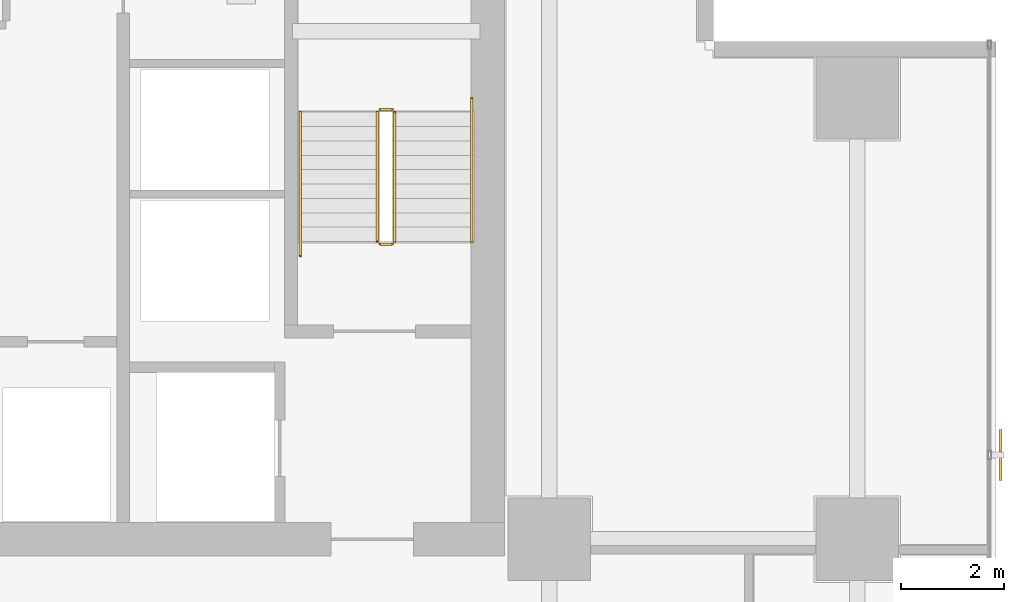
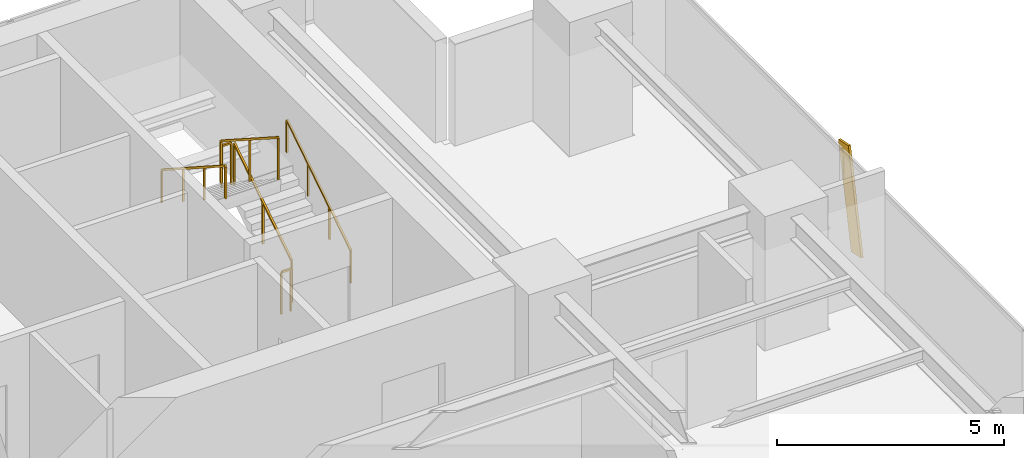
# One storey, part 34 of 35: 6 railings, 1 shading device.
"""IFC4 building model written with IfcOpenShell, lengths in metres."""

from ifc_helpers import new_model, si_unit, direction, frame, origin, origin_2d, place, context, subcontext, project, spatial, rectangle, extrude, source, transform, mapped, material, material_profile, profile_set, type_object, element, save


model = new_model("IFC4")

# Units and contexts
model_context = context("Model", 3, precision=1e-05, world=origin(), true_north=direction((0.0, 1.0)))
body_context = subcontext(model_context, "Body", "Model", "MODEL_VIEW")
ifc_project = project(units=[si_unit("LENGTHUNIT", "METRE"), si_unit("AREAUNIT", "SQUARE_METRE"), si_unit("VOLUMEUNIT", "CUBIC_METRE"), si_unit("PLANEANGLEUNIT", "RADIAN"), si_unit("MASSUNIT", "GRAM", prefix="KILO")], contexts=[model_context])

# Site, building, storey
site_placement = place(None, origin())
site = spatial("IfcSite", under=ifc_project, at=site_placement, CompositionType="ELEMENT")
building_placement = place(site_placement, origin())
building = spatial("IfcBuilding", under=site, at=building_placement, Name="Sumidabori Civic Tower", CompositionType="ELEMENT")
storey_placement = place(building_placement, frame((0.0, 0.0, 102.800048828125)))
storey = spatial("IfcBuildingStorey", under=building, at=storey_placement, Name="L26", CompositionType="ELEMENT", Elevation=102.800048828125)

# Railings
ifc_material_1 = material(Name="Stainless Steel Hairline Finish", Category="steel")
railing_type_1 = type_object("IfcRailingType", Name="RL-HANDRAIL", PredefinedType="HANDRAIL", material=ifc_material_1)
railing_1_placement = place(storey_placement, frame((15.2900390625, 16.0, 0.179931640625)))
element("IfcRailing", 1, at=railing_1_placement, inside=storey, type_object=railing_type_1, Name="L26 ST-2 stair handrail 1", PredefinedType="HANDRAIL", context=body_context, shape_type="SweptSolid", body=[
    extrude(rectangle(XDim=0.048095703125, YDim=0.048095703125, at=origin_2d()), frame((0.0, 0.0, 0.8759765625), z_axis=(0.0, 0.840675598268, 0.541539046124), x_axis=(-1.0, 0.0, 0.0)), (0.0, 0.0, 1.0), 3.330810546875),
    extrude(rectangle(XDim=0.0419921875, YDim=0.0419921875, at=origin_2d()), origin(), (0.0, 0.0, 1.0), 0.851806640625),
    extrude(rectangle(XDim=0.0419921875, YDim=0.0419921875, at=origin_2d()), frame((0.0, 0.933349609375, 0.601318359375)), (0.0, 0.0, 1.0), 0.851806640625),
    extrude(rectangle(XDim=0.0419921875, YDim=0.0419921875, at=origin_2d()), frame((0.0, 1.86669921875, 1.202392578125)), (0.0, 0.0, 1.0), 0.851806640625),
    extrude(rectangle(XDim=0.0419921875, YDim=0.0419921875, at=origin_2d()), frame((0.0, 2.800048828125, 1.8037109375)), (0.0, 0.0, 1.0), 0.851806640625),
])
railing_2_placement = place(storey_placement, frame((11.949951171875, 18.52001953125, 1.97998046875)))
element("IfcRailing", 2, at=railing_2_placement, inside=storey, type_object=railing_type_1, Name="L26 ST-2 stair handrail 2", PredefinedType="HANDRAIL", context=body_context, shape_type="SweptSolid", body=[
    extrude(rectangle(XDim=0.048095703125, YDim=0.048095703125, at=origin_2d()), frame((0.0, 0.0, 0.8759765625), z_axis=(0.0, -0.840675598268, 0.541539046124), x_axis=(1.0, 0.0, 0.0)), (0.0, 0.0, 1.0), 3.330810546875),
    extrude(rectangle(XDim=0.0419921875, YDim=0.0419921875, at=origin_2d()), origin(), (0.0, 0.0, 1.0), 0.851806640625),
    extrude(rectangle(XDim=0.0419921875, YDim=0.0419921875, at=origin_2d()), frame((0.0, -0.933349609375, 0.601318359375)), (0.0, 0.0, 1.0), 0.851806640625),
    extrude(rectangle(XDim=0.0419921875, YDim=0.0419921875, at=origin_2d()), frame((0.0, -1.86669921875, 1.202392578125)), (0.0, 0.0, 1.0), 0.851806640625),
    extrude(rectangle(XDim=0.0419921875, YDim=0.0419921875, at=origin_2d()), frame((0.0, -2.800048828125, 1.8037109375)), (0.0, 0.0, 1.0), 0.851806640625),
])
ifc_material_2 = material(Name="Steel SN490", Category="steel")
railing_type_2 = type_object("IfcRailingType", Name="RL-STAIR-GUARD", PredefinedType="GUARDRAIL", material=ifc_material_2)
railing_3_placement = place(storey_placement, frame((13.7900390625, 16.0, 0.179931640625)))
element("IfcRailing", 3, at=railing_3_placement, inside=storey, type_object=railing_type_2, Name="L26 ST-2 stair guard 1", PredefinedType="GUARDRAIL", context=body_context, shape_type="SweptSolid", body=[
    extrude(rectangle(XDim=0.048095703125, YDim=0.048095703125, at=origin_2d()), frame((0.0, 0.0, 1.1259765625), z_axis=(0.0, 0.841162588446, 0.540782303519), x_axis=(-1.0, 0.0, 0.0)), (0.0, 0.0, 1.0), 2.995849609375),
    extrude(rectangle(XDim=0.0419921875, YDim=0.0419921875, at=origin_2d()), origin(), (0.0, 0.0, 1.0), 1.101806640625),
    extrude(rectangle(XDim=0.0419921875, YDim=0.0419921875, at=origin_2d()), frame((0.0, 1.260009765625, 0.81005859375)), (0.0, 0.0, 1.0), 1.101806640625),
    extrude(rectangle(XDim=0.0419921875, YDim=0.0419921875, at=origin_2d()), frame((0.0, 2.52001953125, 1.6201171875)), (0.0, 0.0, 1.0), 1.101806640625),
])
railing_4_placement = place(storey_placement, frame((13.739990234375, 18.570068359375, 1.800048828125)))
element("IfcRailing", 4, at=railing_4_placement, inside=storey, type_object=railing_type_2, Name="L26 ST-2 stair guard 2", PredefinedType="GUARDRAIL", context=body_context, shape_type="SweptSolid", body=[
    extrude(rectangle(XDim=0.048095703125, YDim=0.048095703125, at=origin_2d()), frame((0.0, 0.0, 1.1259765625), z_axis=(-1.0, 0.0, 0.0), x_axis=(0.0, -1.0, 0.0)), (0.0, 0.0, 1.0), 0.239990234375),
    extrude(rectangle(XDim=0.0419921875, YDim=0.0419921875, at=origin_2d()), origin(), (0.0, 0.0, 1.0), 1.101806640625),
    extrude(rectangle(XDim=0.0419921875, YDim=0.0419921875, at=origin_2d()), frame((-0.239990234375, 0.0, 0.0)), (0.0, 0.0, 1.0), 1.101806640625),
])
railing_5_placement = place(storey_placement, frame((13.449951171875, 18.52001953125, 1.97998046875)))
element("IfcRailing", 5, at=railing_5_placement, inside=storey, type_object=railing_type_2, Name="L26 ST-2 stair guard 3", PredefinedType="GUARDRAIL", context=body_context, shape_type="SweptSolid", body=[
    extrude(rectangle(XDim=0.048095703125, YDim=0.048095703125, at=origin_2d()), frame((0.0, 0.0, 1.1259765625), z_axis=(0.0, -0.841199657755, 0.540724639528), x_axis=(1.0, 0.0, 0.0)), (0.0, 0.0, 1.0), 2.995849609375),
    extrude(rectangle(XDim=0.0419921875, YDim=0.0419921875, at=origin_2d()), origin(), (0.0, 0.0, 1.0), 1.101806640625),
    extrude(rectangle(XDim=0.0419921875, YDim=0.0419921875, at=origin_2d()), frame((0.0, -1.260009765625, 0.81005859375)), (0.0, 0.0, 1.0), 1.101806640625),
    extrude(rectangle(XDim=0.0419921875, YDim=0.0419921875, at=origin_2d()), frame((0.0, -2.52001953125, 1.619873046875)), (0.0, 0.0, 1.0), 1.101806640625),
])
railing_6_placement = place(storey_placement, frame((13.739990234375, 15.949951171875, 0.0)))
element("IfcRailing", 6, at=railing_6_placement, inside=storey, type_object=railing_type_2, Name="L26 ST-2 stair guard 4", PredefinedType="GUARDRAIL", context=body_context, shape_type="SweptSolid", body=[
    extrude(rectangle(XDim=0.048095703125, YDim=0.048095703125, at=origin_2d()), frame((0.0, 0.0, 1.1259765625), z_axis=(-1.0, 0.0, 0.0), x_axis=(0.0, -1.0, 0.0)), (0.0, 0.0, 1.0), 0.239990234375),
    extrude(rectangle(XDim=0.0419921875, YDim=0.0419921875, at=origin_2d()), origin(), (0.0, 0.0, 1.0), 1.101806640625),
    extrude(rectangle(XDim=0.0419921875, YDim=0.0419921875, at=origin_2d()), frame((-0.239990234375, 0.0, 0.0)), (0.0, 0.0, 1.0), 1.101806640625),
])

# Shading device
ifc_material_3 = material(Name="Anodised Bronze Aluminium AW-6063-T6", Category="aluminium")
ifc_material_profile = material_profile(ifc_material_3, rectangle(XDim=0.06005859375, YDim=0.449951171875, at=origin_2d()), Name="BRONZE FIN 450x60")
ifc_profile_set = profile_set([ifc_material_profile], Name="Anodised Bronze Aluminium AW-6063-T6")
shading_device_type = type_object("IfcShadingDeviceType", Name="SH-FIN-450", PredefinedType="USERDEFINED", material=ifc_profile_set)
shared_shape = source(origin(), body_context, "Body", "SweptSolid", [
    extrude(rectangle(XDim=0.06005859375, YDim=0.449951171875, at=origin_2d()), origin(), (0.0, 0.0, 1.0), 2.73779296875),
])
shading_device_placement = place(storey_placement, frame((25.590087890625, 11.56201171875, 0.02001953125), z_axis=(0.0, 0.204563143937, 0.978853370093), x_axis=(-1.0, 0.0, 0.0)))
element("IfcShadingDevice", 7, at=shading_device_placement, inside=storey, type_object=shading_device_type, Name="Bronze Anodised Diagonal Fin L26-04", ObjectType="FIN", PredefinedType="USERDEFINED", context=body_context, shape_type="MappedRepresentation", body=[
    mapped(shared_shape, transform((0.0, 0.0, 0.0), x_axis=(1.0, 0.0, 0.0), y_axis=(0.0, 1.0, 0.0), z_axis=(0.0, 0.0, 1.0), scale=1.0)),
])

save(model, "model.ifc")
